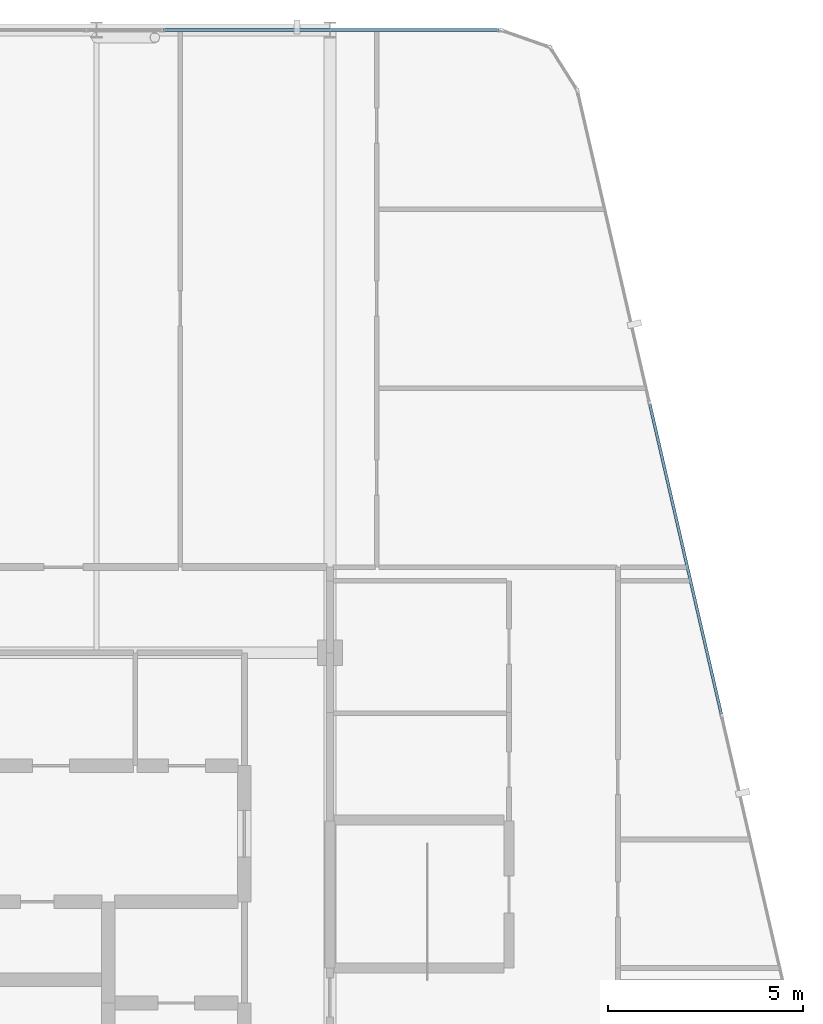
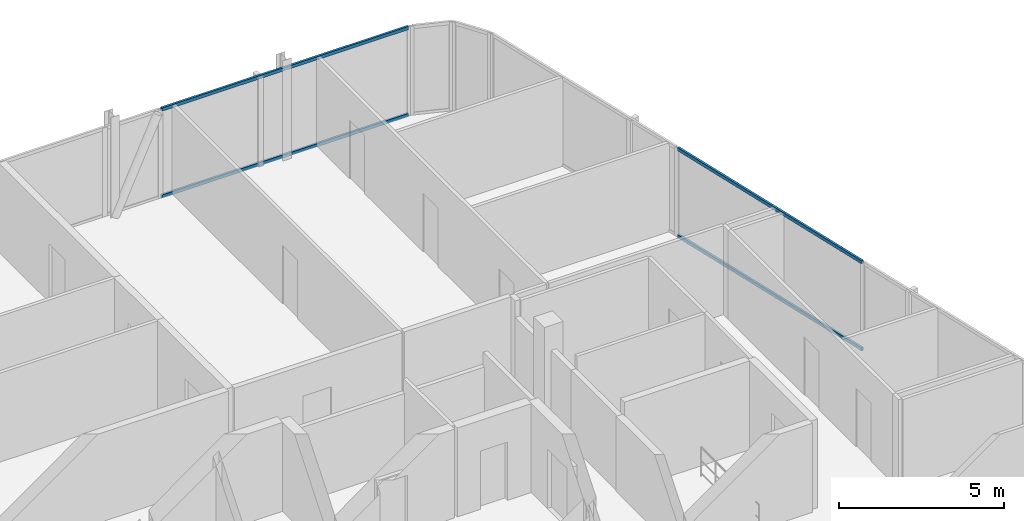
# One storey, part 18 of 27: 4 members, 2 elements without a shape of their own.
"""IFC4 building model written with IfcOpenShell, lengths in metres."""

from ifc_helpers import new_model, si_unit, direction, frame, origin, origin_2d, place, context, subcontext, project, spatial, hollow_rectangle, extrude, material, layer, layer_set, material_profile, profile_set, type_object, element, aggregate, save


model = new_model("IFC4")

# Units and contexts
model_context = context("Model", 3, precision=1e-05, world=origin(), true_north=direction((0.0, 1.0)))
body_context = subcontext(model_context, "Body", "Model", "MODEL_VIEW")
ifc_project = project(units=[si_unit("LENGTHUNIT", "METRE"), si_unit("AREAUNIT", "SQUARE_METRE"), si_unit("VOLUMEUNIT", "CUBIC_METRE"), si_unit("PLANEANGLEUNIT", "RADIAN"), si_unit("MASSUNIT", "GRAM", prefix="KILO")], contexts=[model_context])

# Site, building, storey
site_placement = place(None, origin())
site = spatial("IfcSite", under=ifc_project, at=site_placement, CompositionType="ELEMENT")
building_placement = place(site_placement, origin())
building = spatial("IfcBuilding", under=site, at=building_placement, Name="Keshet Zoharim Tower", CompositionType="ELEMENT")
storey_placement = place(building_placement, frame((0.0, 0.0, 311.0)))
storey = spatial("IfcBuildingStorey", under=building, at=storey_placement, Name="L78", CompositionType="ELEMENT", Elevation=311.0)

# Curtain wall, members
ifc_material = material(Name="Aluminium 6063-T6", Category="aluminium")
ifc_layer = layer(ifc_material, 0.260009765625)
ifc_layer_set = layer_set([ifc_layer], Name="Aluminium 6063-T6")
curtain_wall_type = type_object("IfcCurtainWallType", Name="CW-SYS-06", PredefinedType="NOTDEFINED", material=ifc_layer_set)
curtain_wall_1_placement = place(storey_placement, origin())
curtain_wall_1 = element("IfcCurtainWall", 1, at=curtain_wall_1_placement, inside=storey, type_object=curtain_wall_type, Name="L78 Unitised Curtain Wall 06 Part 5", PredefinedType="NOTDEFINED")
ifc_material_profile = material_profile(ifc_material, hollow_rectangle(XDim=0.074951171875, YDim=0.1201171875, WallThickness=0.00390625, at=origin_2d()), Name="TRN-75x120")
ifc_profile_set = profile_set([ifc_material_profile], Name="Aluminium 6063-T6")
member_type = type_object("IfcMemberType", Name="CWT-T12", PredefinedType="USERDEFINED", material=ifc_profile_set)
member_1_placement = place(storey_placement, frame((28.72412109375, 53.89990234375, 0.034912109375), z_axis=(1.0, 0.0, 0.0), x_axis=(0.0, 1.0, 0.0)))
member_1 = element("IfcMember", 2, at=member_1_placement, type_object=member_type, Name="CW-06 transom 1.1", ObjectType="TRANSOM", PredefinedType="USERDEFINED", context=body_context, shape_type="SweptSolid", body=[
    extrude(hollow_rectangle(XDim=0.074951171875, YDim=0.1201171875, WallThickness=0.00390625, at=origin_2d()), origin(), (0.0, 0.0, 1.0), 8.614990234375),
])
member_2_placement = place(storey_placement, frame((28.72412109375, 53.89990234375, 3.2451171875), z_axis=(1.0, 0.0, 0.0), x_axis=(0.0, 1.0, 0.0)))
member_2 = element("IfcMember", 3, at=member_2_placement, type_object=member_type, Name="CW-06 transom 1.2", ObjectType="TRANSOM", PredefinedType="USERDEFINED", context=body_context, shape_type="SweptSolid", body=[
    extrude(hollow_rectangle(XDim=0.074951171875, YDim=0.1201171875, WallThickness=0.00390625, at=origin_2d()), origin(), (0.0, 0.0, 1.0), 8.614990234375),
])
aggregate(curtain_wall_1, [member_1, member_2])

curtain_wall_2_placement = place(storey_placement, origin())
curtain_wall_2 = element("IfcCurtainWall", 4, at=curtain_wall_2_placement, inside=storey, type_object=curtain_wall_type, Name="L78 Unitised Curtain Wall 09", PredefinedType="NOTDEFINED")
member_3_placement = place(storey_placement, frame((41.218505859375, 44.28662109375, 0.034912109375), z_axis=(0.224826771459, -0.974398749402, 0.0), x_axis=(0.974398749402, 0.224826771459, 0.0)))
member_3 = element("IfcMember", 5, at=member_3_placement, type_object=member_type, Name="CW-06 transom 2.1", ObjectType="TRANSOM", PredefinedType="USERDEFINED", context=body_context, shape_type="SweptSolid", body=[
    extrude(hollow_rectangle(XDim=0.074951171875, YDim=0.1201171875, WallThickness=0.00390625, at=origin_2d()), origin(), (0.0, 0.0, 1.0), 8.17041015625),
])
member_4_placement = place(storey_placement, frame((41.218505859375, 44.28662109375, 3.2451171875), z_axis=(0.224826771459, -0.974398749402, 0.0), x_axis=(0.974398749402, 0.224826771459, 0.0)))
member_4 = element("IfcMember", 6, at=member_4_placement, type_object=member_type, Name="CW-06 transom 2.2", ObjectType="TRANSOM", PredefinedType="USERDEFINED", context=body_context, shape_type="SweptSolid", body=[
    extrude(hollow_rectangle(XDim=0.074951171875, YDim=0.1201171875, WallThickness=0.00390625, at=origin_2d()), origin(), (0.0, 0.0, 1.0), 8.17041015625),
])
aggregate(curtain_wall_2, [member_3, member_4])

save(model, "model.ifc")
